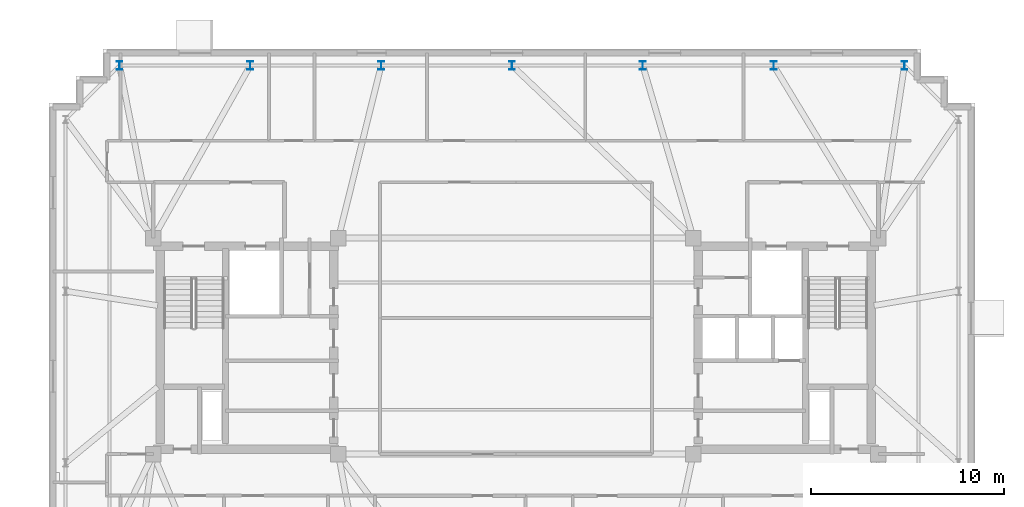
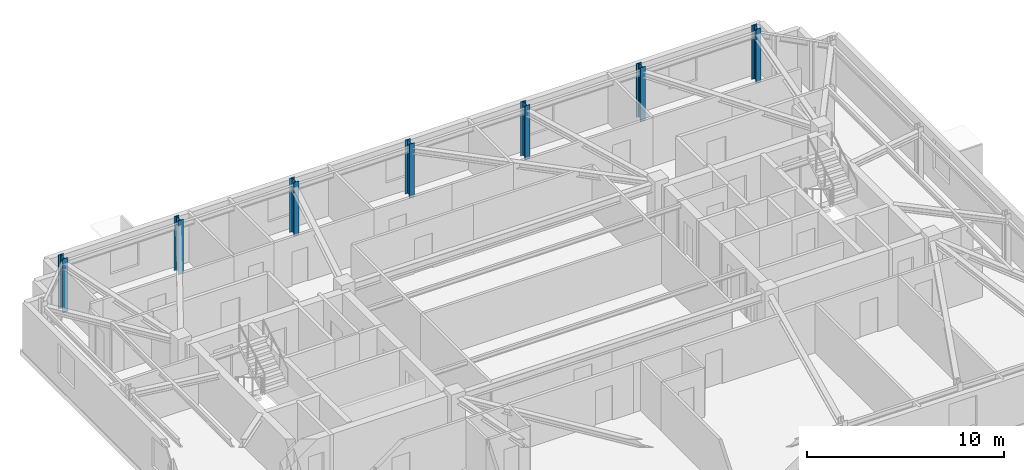
# One storey, part 3 of 11: 7 columns.
"""IFC4 building model written with IfcOpenShell, lengths in metres."""

from ifc_helpers import new_model, si_unit, direction, frame, origin, origin_2d, place, context, subcontext, project, spatial, i_section, extrude, material, material_profile, profile_set, type_object, element, save


model = new_model("IFC4")

# Units and contexts
model_context = context("Model", 3, precision=1e-05, world=origin(), true_north=direction((0.0, 1.0)))
body_context = subcontext(model_context, "Body", "Model", "MODEL_VIEW")
ifc_project = project(units=[si_unit("LENGTHUNIT", "METRE"), si_unit("AREAUNIT", "SQUARE_METRE"), si_unit("VOLUMEUNIT", "CUBIC_METRE"), si_unit("PLANEANGLEUNIT", "RADIAN"), si_unit("MASSUNIT", "GRAM", prefix="KILO")], contexts=[model_context])

# Site, building, storey
site_placement = place(None, origin())
site = spatial("IfcSite", under=ifc_project, at=site_placement, CompositionType="ELEMENT")
building_placement = place(site_placement, origin())
building = spatial("IfcBuilding", under=site, at=building_placement, Name="Qobustan Lattice House", CompositionType="ELEMENT")
storey_placement = place(building_placement, frame((0.0, 0.0, 255.10009765625)))
storey = spatial("IfcBuildingStorey", under=building, at=storey_placement, Name="L72", CompositionType="ELEMENT", Elevation=255.10009765625)

# Columns
ifc_material = material(Name="Steel S355", Category="steel")
ifc_material_profile = material_profile(ifc_material, i_section(OverallWidth=0.300048828125, OverallDepth=0.449951171875, WebThickness=0.013916015625, FlangeThickness=0.02587890625, FilletRadius=0.027099609375, at=origin_2d()), Name="HEB450")
ifc_profile_set = profile_set([ifc_material_profile], Name="Steel S355")
column_type = type_object("IfcColumnType", Name="COL-ST-HEB450", PredefinedType="COLUMN", material=ifc_profile_set)
for number, where, z_axis, x_axis, name in (
    (1, (20.14990234375, 14.550048828125, 0.0), (0.0, 0.0, 1.0), (1.0, 0.0, 0.0), "L72 B5 perimeter column N1"),
    (2, (13.36669921875, 14.550048828125, 0.0), (0.0, 0.0, 1.0), (1.0, 0.0, 0.0), "L72 B5 perimeter column N2"),
    (3, (6.583251953125, 14.550048828125, 0.0), (0.0, 0.0, 1.0), (1.0, 0.0, 0.0), "L72 B5 perimeter column N3"),
    (4, (-0.199951171875, 14.550048828125, 0.0), (0.0, 0.0, 1.0), (1.0, 0.0, 0.0), "L72 B5 perimeter column N4"),
    (5, (-6.9833984375, 14.550048828125, 0.0), (0.0, 0.0, 1.0), (1.0, 0.0, 0.0), "L72 B5 perimeter column N5"),
    (6, (-13.7666015625, 14.550048828125, 0.0), (0.0, 0.0, 1.0), (1.0, 0.0, 0.0), "L72 B5 perimeter column N6"),
    (7, (-20.550048828125, 14.550048828125, 0.0), (0.0, 0.0, 1.0), (1.0, 0.0, 0.0), "L72 B5 perimeter column N7"),
):
    element("IfcColumn", number, at=place(storey_placement, frame(where, z_axis=z_axis, x_axis=x_axis)), inside=storey, type_object=column_type, Name=name, PredefinedType="COLUMN", context=body_context, shape_type="SweptSolid", body=[
        extrude(i_section(OverallWidth=0.300048828125, OverallDepth=0.449951171875, WebThickness=0.013916015625, FlangeThickness=0.02587890625, FilletRadius=0.027099609375, at=origin_2d()), origin(), (0.0, 0.0, 1.0), 3.349853515625),
    ])

save(model, "model.ifc")
